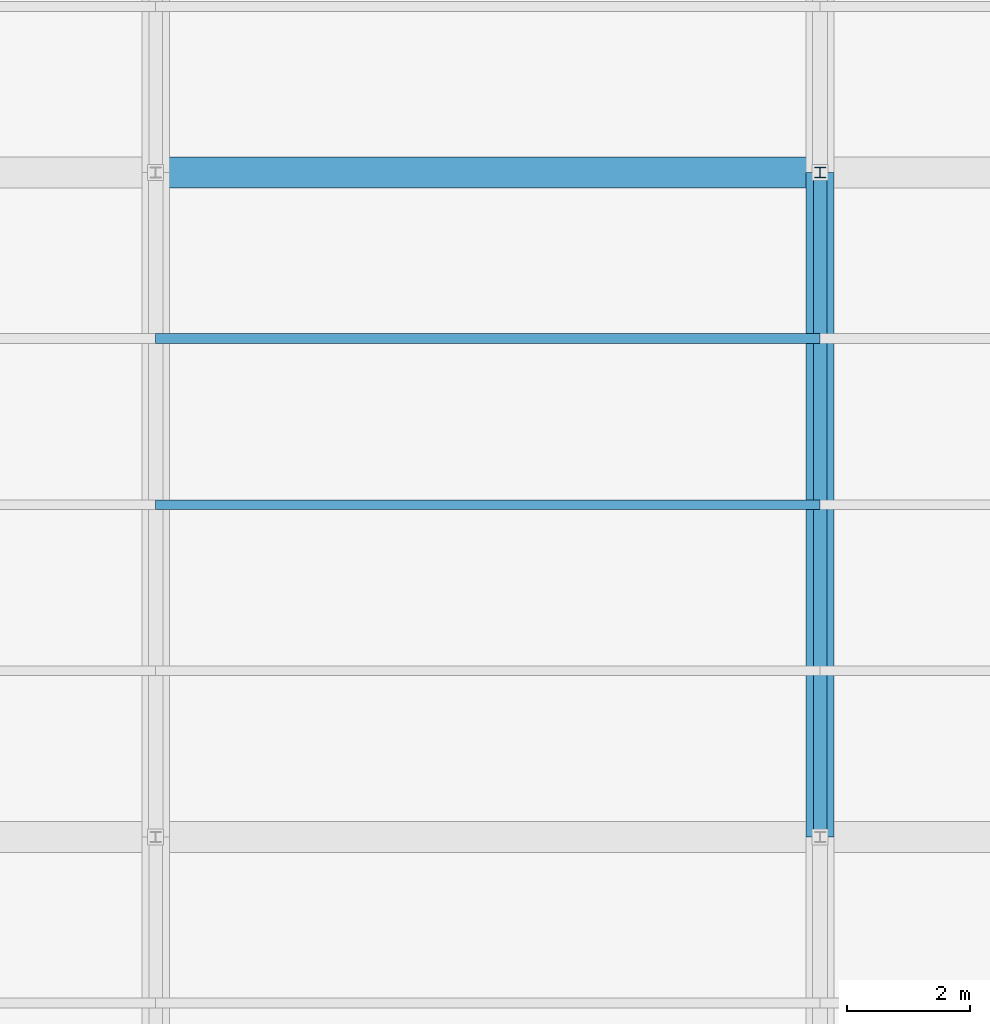
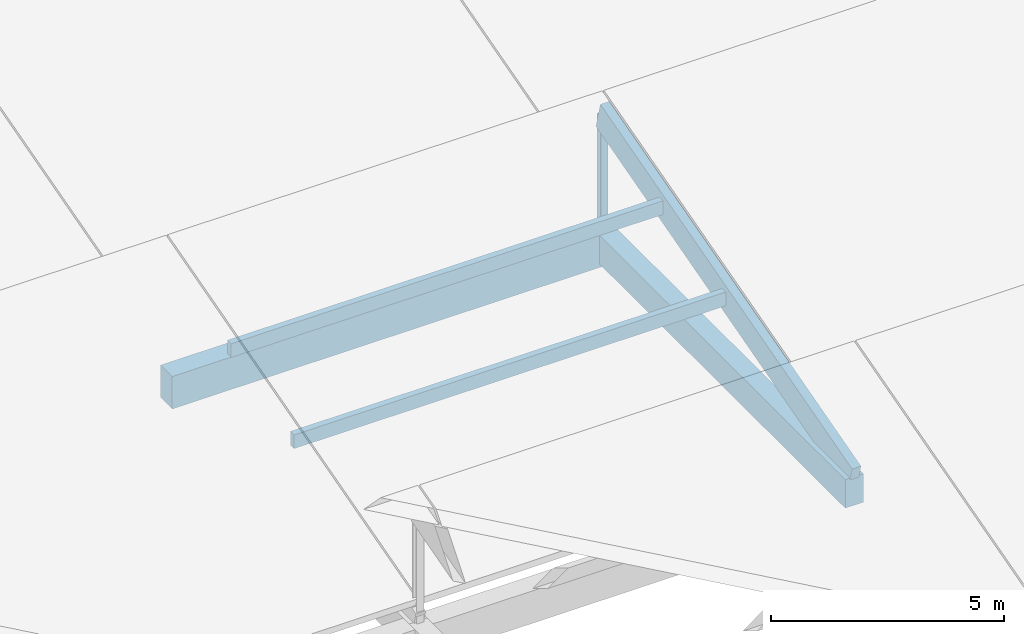
# One storey, part 29 of 112: 4 members, 2 beams.
"""IFC4 building model written with IfcOpenShell, lengths in metres."""

from ifc_helpers import new_model, si_unit, direction, frame, origin, origin_2d, place, context, subcontext, project, spatial, rectangle, i_section, extrude, material, material_profile, profile_set, type_object, element, save


model = new_model("IFC4")

# Units and contexts
model_context = context("Model", 3, precision=1e-05, world=origin(), true_north=direction((0.0, 1.0)))
body_context = subcontext(model_context, "Body", "Model", "MODEL_VIEW")
ifc_project = project(units=[si_unit("LENGTHUNIT", "METRE"), si_unit("AREAUNIT", "SQUARE_METRE"), si_unit("VOLUMEUNIT", "CUBIC_METRE"), si_unit("PLANEANGLEUNIT", "RADIAN"), si_unit("MASSUNIT", "GRAM", prefix="KILO")], contexts=[model_context])

# Site, building, storey
site_placement = place(None, origin())
site = spatial("IfcSite", under=ifc_project, at=site_placement, CompositionType="ELEMENT")
building_placement = place(site_placement, origin())
building = spatial("IfcBuilding", under=site, at=building_placement, Name="Zwinboog Wholesale Market", CompositionType="ELEMENT")
storey_placement = place(building_placement, frame((0.0, 0.0, 19.080078125)))
storey = spatial("IfcBuildingStorey", under=building, at=storey_placement, Name="Roof", CompositionType="ELEMENT", Elevation=19.080078125)

# Beams
ifc_material_1 = material(Name="Precast concrete C45/55", Category="concrete")
ifc_material_profile_1 = material_profile(ifc_material_1, rectangle(XDim=0.5, YDim=0.85009765625, at=origin_2d()), Name="PC 500x850")
ifc_profile_set_1 = profile_set([ifc_material_profile_1], Name="Precast concrete C45/55")
beam_type_1 = type_object("IfcBeamType", Name="BT-03", PredefinedType="BEAM", material=ifc_profile_set_1)
beam_1_placement = place(storey_placement, frame((43.199951171875, 86.39990234375, -9.425048828125), z_axis=(1.0, 0.0, 0.0), x_axis=(0.0, 1.0, 0.0)))
element("IfcBeam", 1, at=beam_1_placement, inside=storey, type_object=beam_type_1, Name="BG-03 (BMG-Roof-0432-0864-1195)", PredefinedType="BEAM", context=body_context, shape_type="SweptSolid", body=[
    extrude(rectangle(XDim=0.5, YDim=0.85009765625, at=origin_2d()), origin(), (0.0, 0.0, 1.0), 10.800048828125),
])
ifc_material_profile_2 = material_profile(ifc_material_1, rectangle(XDim=0.449951171875, YDim=0.75, at=origin_2d()), Name="PC 450x750")
ifc_profile_set_2 = profile_set([ifc_material_profile_2], Name="Precast concrete C45/55")
beam_type_2 = type_object("IfcBeamType", Name="BT-04", PredefinedType="BEAM", material=ifc_profile_set_2)
beam_2_placement = place(storey_placement, frame((54.0, 75.60009765625, -9.375), z_axis=(0.0, 1.0, 0.0), x_axis=(-1.0, 0.0, 0.0)))
element("IfcBeam", 2, at=beam_2_placement, inside=storey, type_object=beam_type_2, Name="BG-04 (BMG-Roof-0540-0756-1252)", PredefinedType="BEAM", context=body_context, shape_type="SweptSolid", body=[
    extrude(rectangle(XDim=0.449951171875, YDim=0.75, at=origin_2d()), origin(), (0.0, 0.0, 1.0), 10.7998046875),
])

# Members
ifc_material_2 = material(Name="Steel S355", Category="steel")
ifc_material_profile_3 = material_profile(ifc_material_2, i_section(OverallWidth=0.179931640625, OverallDepth=0.1708984375, WebThickness=0.006103515625, FlangeThickness=0.009521484375, FilletRadius=0.014892578125, at=origin_2d()), Name="HEA 180")
ifc_profile_set_3 = profile_set([ifc_material_profile_3], Name="Steel S355")
member_type_1 = type_object("IfcMemberType", Name="MT-07", PredefinedType="BRACE", material=ifc_profile_set_3)
member_1_placement = place(storey_placement, frame((54.0, 86.39990234375, -9.2001953125), z_axis=(0.0, 0.0, 1.0), x_axis=(1.0, 0.0, 0.0)))
element("IfcMember", 3, at=member_1_placement, inside=storey, type_object=member_type_1, Name="DB-04 (MEM-Roof-0860)", PredefinedType="BRACE", context=body_context, shape_type="SweptSolid", body=[
    extrude(i_section(OverallWidth=0.179931640625, OverallDepth=0.1708984375, WebThickness=0.006103515625, FlangeThickness=0.009521484375, FilletRadius=0.014892578125, at=origin_2d()), origin(), (0.0, 0.0, 1.0), 3.14697265625),
])
ifc_material_3 = material(Name="Glulam GL28h", Category="wood")
ifc_material_profile_4 = material_profile(ifc_material_3, rectangle(XDim=0.219970703125, YDim=0.719970703125, at=origin_2d()), Name="GL28h 220x720")
ifc_profile_set_4 = profile_set([ifc_material_profile_4], Name="Glulam GL28h")
member_type_2 = type_object("IfcMemberType", Name="MT-10", PredefinedType="RAFTER", material=ifc_profile_set_4)
member_2_placement = place(storey_placement, frame((54.0, 75.60009765625, -9.05322265625), z_axis=(0.0, 0.963516661409, 0.267648357342), x_axis=(-1.0, 0.0, 0.0)))
element("IfcMember", 4, at=member_2_placement, inside=storey, type_object=member_type_2, Name="GR-02 (MEM-Roof-0861)", PredefinedType="RAFTER", context=body_context, shape_type="SweptSolid", body=[
    extrude(rectangle(XDim=0.219970703125, YDim=0.719970703125, at=origin_2d()), origin(), (0.0, 0.0, 1.0), 11.208740234375),
])
ifc_material_profile_5 = material_profile(ifc_material_3, rectangle(XDim=0.159912109375, YDim=0.360107421875, at=origin_2d()), Name="GL28h 160x360")
ifc_profile_set_5 = profile_set([ifc_material_profile_5], Name="Glulam GL28h")
member_type_3 = type_object("IfcMemberType", Name="MT-12", PredefinedType="PURLIN", material=ifc_profile_set_5)
for number, where, z_axis, x_axis, name in (
    (5, (43.199951171875, 83.699951171875, -6.785888671875), (1.0, 0.0, 0.0), (0.0, 1.0, 0.0), "GP-01 (MEM-Roof-0859)"),
    (6, (43.199951171875, 81.0, -7.535888671875), (1.0, 0.0, 0.0), (0.0, 1.0, 0.0), "GP-01 (MEM-PRL-Roof-0043)"),
):
    element("IfcMember", number, at=place(storey_placement, frame(where, z_axis=z_axis, x_axis=x_axis)), inside=storey, type_object=member_type_3, Name=name, PredefinedType="PURLIN", context=body_context, shape_type="SweptSolid", body=[
        extrude(rectangle(XDim=0.159912109375, YDim=0.360107421875, at=origin_2d()), origin(), (0.0, 0.0, 1.0), 10.800048828125),
    ])

save(model, "model.ifc")
